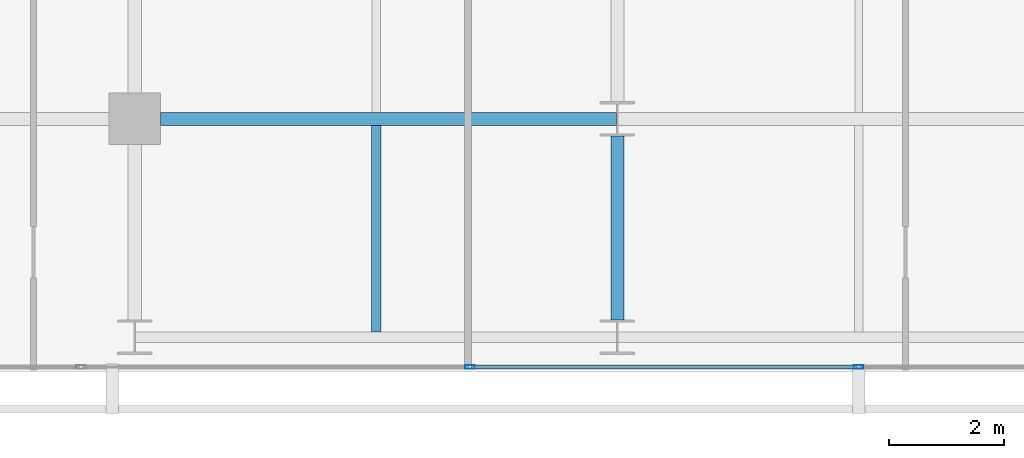
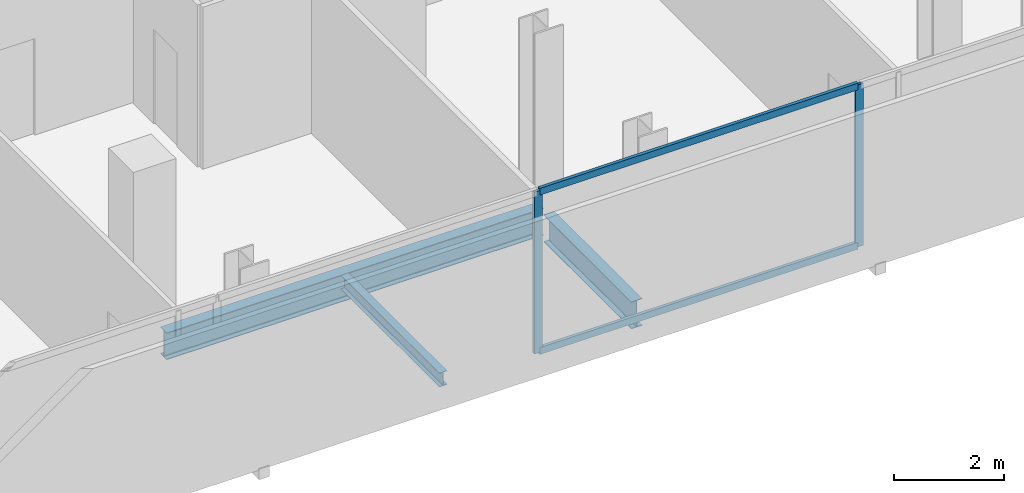
# One storey, part 6 of 32: 4 members, 3 beams, 1 element without a shape of its own.
"""IFC4 building model written with IfcOpenShell, lengths in metres."""

from ifc_helpers import new_model, si_unit, direction, frame, origin, origin_2d, place, context, subcontext, project, spatial, hollow_rectangle, i_section, extrude, material, layer, layer_set, material_profile, profile_set, type_object, element, aggregate, save


model = new_model("IFC4")

# Units and contexts
model_context = context("Model", 3, precision=1e-05, world=origin(), true_north=direction((0.0, 1.0)))
body_context = subcontext(model_context, "Body", "Model", "MODEL_VIEW")
ifc_project = project(units=[si_unit("LENGTHUNIT", "METRE"), si_unit("AREAUNIT", "SQUARE_METRE"), si_unit("VOLUMEUNIT", "CUBIC_METRE"), si_unit("PLANEANGLEUNIT", "RADIAN"), si_unit("MASSUNIT", "GRAM", prefix="KILO")], contexts=[model_context])

# Site, building, storey
site_placement = place(None, origin())
site = spatial("IfcSite", under=ifc_project, at=site_placement, CompositionType="ELEMENT")
building_placement = place(site_placement, origin())
building = spatial("IfcBuilding", under=site, at=building_placement, Name="Maruvema Waterfront Hotel and Observation Tower", CompositionType="ELEMENT")
storey_placement = place(building_placement, frame((0.0, 0.0, 165.89990234375)))
storey = spatial("IfcBuildingStorey", under=building, at=storey_placement, Name="L40", CompositionType="ELEMENT", Elevation=165.89990234375)

# Curtain wall, members
ifc_material_1 = material(Name="Anodised bronze aluminium and solar-control low-E IGU", Category="aluminium")
ifc_layer = layer(ifc_material_1, 0.159912109375, Name="Zone 2 Amber Inner Thermal Curtain Wall System CW-03")
ifc_layer_set = layer_set([ifc_layer], Name="Anodised bronze aluminium and solar-control low-E IGU")
curtain_wall_type = type_object("IfcCurtainWallType", Name="Zone 2 Amber Inner Thermal Curtain Wall System CW-03", PredefinedType="USERDEFINED", material=ifc_layer_set)
curtain_wall_placement = place(storey_placement, origin())
curtain_wall = element("IfcCurtainWall", 1, at=curtain_wall_placement, inside=storey, type_object=curtain_wall_type, Name="L40 Curtain Wall CW-L40-S", ObjectType="UNITISED CURTAIN WALL", PredefinedType="USERDEFINED")
ifc_material_2 = material(Name="Anodised architectural bronze aluminium", Category="aluminium")
ifc_material_profile_1 = material_profile(ifc_material_2, hollow_rectangle(XDim=0.070068359375, YDim=0.14990234375, WallThickness=0.00390625, at=origin_2d()), Name="ALU-T70x150")
ifc_profile_set_1 = profile_set([ifc_material_profile_1], Name="Anodised architectural bronze aluminium")
member_type_1 = type_object("IfcMemberType", Name="Curtain Wall Horizontal Transom ALU-T70x150", PredefinedType="USERDEFINED", material=ifc_profile_set_1)
member_1_placement = place(storey_placement, frame((31.063232421875, 4.679931640625, 0.030029296875), z_axis=(1.0, 0.0, 0.0), x_axis=(0.0, 1.0, 0.0)))
member_1 = element("IfcMember", 2, at=member_1_placement, type_object=member_type_1, Name="CW-03 transom 3.1", ObjectType="TRANSOM", PredefinedType="USERDEFINED", context=body_context, shape_type="SweptSolid", body=[
    extrude(hollow_rectangle(XDim=0.070068359375, YDim=0.14990234375, WallThickness=0.00390625, at=origin_2d()), origin(), (0.0, 0.0, 1.0), 6.706787109375),
])
member_2_placement = place(storey_placement, frame((31.063232421875, 4.679931640625, 3.580078125), z_axis=(1.0, 0.0, 0.0), x_axis=(0.0, 1.0, 0.0)))
member_2 = element("IfcMember", 3, at=member_2_placement, type_object=member_type_1, Name="CW-03 transom 3.2", ObjectType="TRANSOM", PredefinedType="USERDEFINED", context=body_context, shape_type="SweptSolid", body=[
    extrude(hollow_rectangle(XDim=0.070068359375, YDim=0.14990234375, WallThickness=0.00390625, at=origin_2d()), origin(), (0.0, 0.0, 1.0), 6.706787109375),
])
ifc_material_3 = material(Name="Anodised architectural bronze aluminium", Category="aluminium")
ifc_material_profile_2 = material_profile(ifc_material_3, hollow_rectangle(XDim=0.06494140625, YDim=0.1650390625, WallThickness=0.00390625, at=origin_2d()), Name="ALU-M65x165")
ifc_profile_set_2 = profile_set([ifc_material_profile_2], Name="Anodised architectural bronze aluminium")
member_type_2 = type_object("IfcMemberType", Name="Curtain Wall Primary Mullion ALU-M65x165", PredefinedType="MULLION", material=ifc_profile_set_2)
member_3_placement = place(storey_placement, frame((31.033447265625, 4.679931640625, 0.0), z_axis=(0.0, 0.0, 1.0), x_axis=(0.0, 1.0, 0.0)))
member_3 = element("IfcMember", 4, at=member_3_placement, type_object=member_type_2, Name="CW-03 mullion 3", PredefinedType="MULLION", context=body_context, shape_type="SweptSolid", body=[
    extrude(hollow_rectangle(XDim=0.06494140625, YDim=0.1650390625, WallThickness=0.00390625, at=origin_2d()), origin(), (0.0, 0.0, 1.0), 3.610107421875),
])
member_4_placement = place(storey_placement, frame((37.800048828125, 4.679931640625, 0.0), z_axis=(0.0, 0.0, 1.0), x_axis=(0.0, 1.0, 0.0)))
member_4 = element("IfcMember", 5, at=member_4_placement, type_object=member_type_2, Name="CW-03 mullion 4", PredefinedType="MULLION", context=body_context, shape_type="SweptSolid", body=[
    extrude(hollow_rectangle(XDim=0.06494140625, YDim=0.1650390625, WallThickness=0.00390625, at=origin_2d()), origin(), (0.0, 0.0, 1.0), 3.610107421875),
])
aggregate(curtain_wall, [member_3, member_4, member_1, member_2])

# Beams
ifc_material_4 = material(Name="Steel ASTM A572 Grade 50", Category="steel")
ifc_material_profile_3 = material_profile(ifc_material_4, i_section(OverallWidth=0.22802734375, OverallDepth=0.60302734375, WebThickness=0.010498046875, FlangeThickness=0.014892578125, FilletRadius=0.01806640625, at=origin_2d()), Name="W610x101.0")
ifc_profile_set_3 = profile_set([ifc_material_profile_3], Name="Steel ASTM A572 Grade 50")
beam_type_1 = type_object("IfcBeamType", Name="Primary Floor Girder W610x101.0", PredefinedType="BEAM", material=ifc_profile_set_3)
beam_1_placement = place(storey_placement, frame((25.64990234375, 9.0, -0.54150390625), z_axis=(1.0, 0.0, 0.0), x_axis=(0.0, 1.0, 0.0)))
element("IfcBeam", 6, at=beam_1_placement, inside=storey, type_object=beam_type_1, Name="L40 Floor Girder EW-06", PredefinedType="BEAM", context=body_context, shape_type="SweptSolid", body=[
    extrude(i_section(OverallWidth=0.22802734375, OverallDepth=0.60302734375, WebThickness=0.010498046875, FlangeThickness=0.014892578125, FilletRadius=0.01806640625, at=origin_2d()), origin(), (0.0, 0.0, 1.0), 7.9375),
])
beam_2_placement = place(storey_placement, frame((33.60009765625, 5.5, -0.54150390625), z_axis=(0.0, 1.0, 0.0), x_axis=(-1.0, 0.0, 0.0)))
element("IfcBeam", 7, at=beam_2_placement, inside=storey, type_object=beam_type_1, Name="L40 Floor Girder NS-14", PredefinedType="BEAM", context=body_context, shape_type="SweptSolid", body=[
    extrude(i_section(OverallWidth=0.22802734375, OverallDepth=0.60302734375, WebThickness=0.010498046875, FlangeThickness=0.014892578125, FilletRadius=0.01806640625, at=origin_2d()), origin(), (0.0, 0.0, 1.0), 3.199951171875),
])
ifc_material_5 = material(Name="Steel ASTM A572 Grade 50", Category="steel")
ifc_material_profile_4 = material_profile(ifc_material_5, i_section(OverallWidth=0.1650390625, OverallDepth=0.31005859375, WebThickness=0.005859375, FlangeThickness=0.009765625, FilletRadius=0.012939453125, at=origin_2d()), Name="W310x38.7")
ifc_profile_set_4 = profile_set([ifc_material_profile_4], Name="Steel ASTM A572 Grade 50")
beam_type_2 = type_object("IfcBeamType", Name="Secondary Floor Joist W310x38.7", PredefinedType="JOIST", material=ifc_profile_set_4)
beam_3_placement = place(storey_placement, frame((29.39990234375, 5.29052734375, -0.39501953125), z_axis=(0.0, 1.0, 0.0), x_axis=(-1.0, 0.0, 0.0)))
element("IfcBeam", 8, at=beam_3_placement, inside=storey, type_object=beam_type_2, Name="L40 Secondary Floor Joist JS-05", PredefinedType="JOIST", context=body_context, shape_type="SweptSolid", body=[
    extrude(i_section(OverallWidth=0.1650390625, OverallDepth=0.31005859375, WebThickness=0.005859375, FlangeThickness=0.009765625, FilletRadius=0.012939453125, at=origin_2d()), origin(), (0.0, 0.0, 1.0), 3.595458984375),
])

save(model, "model.ifc")
